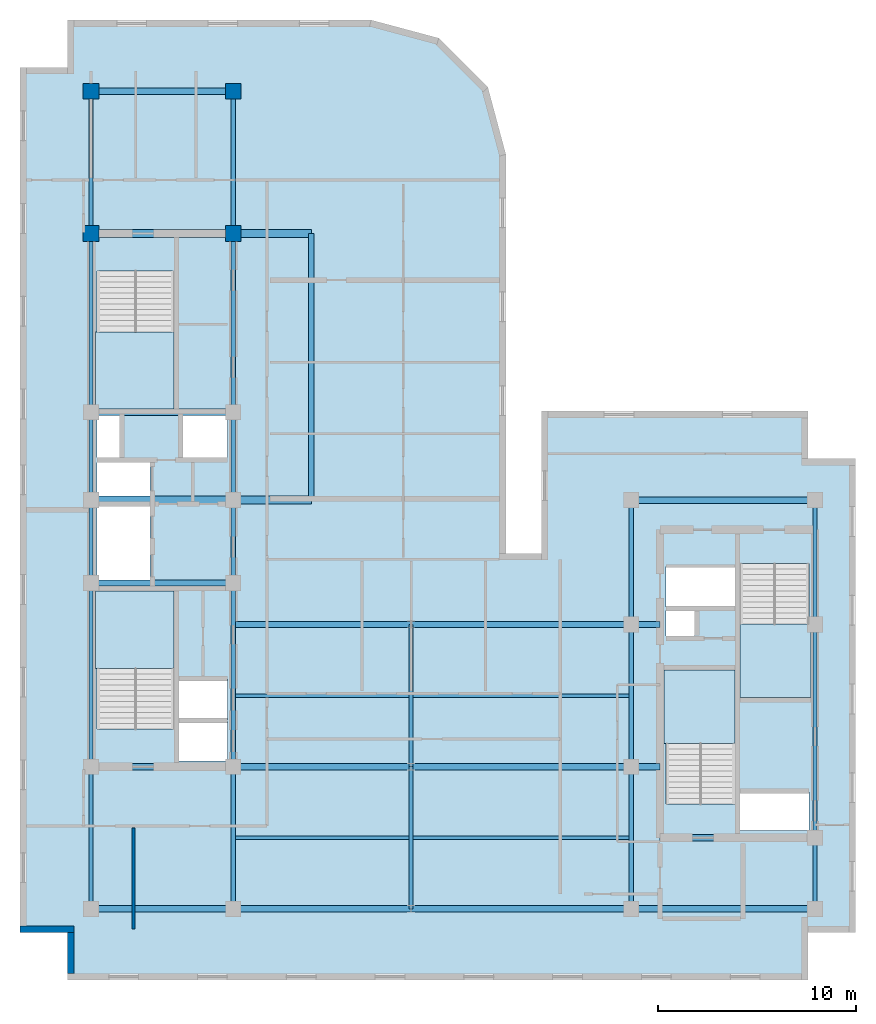
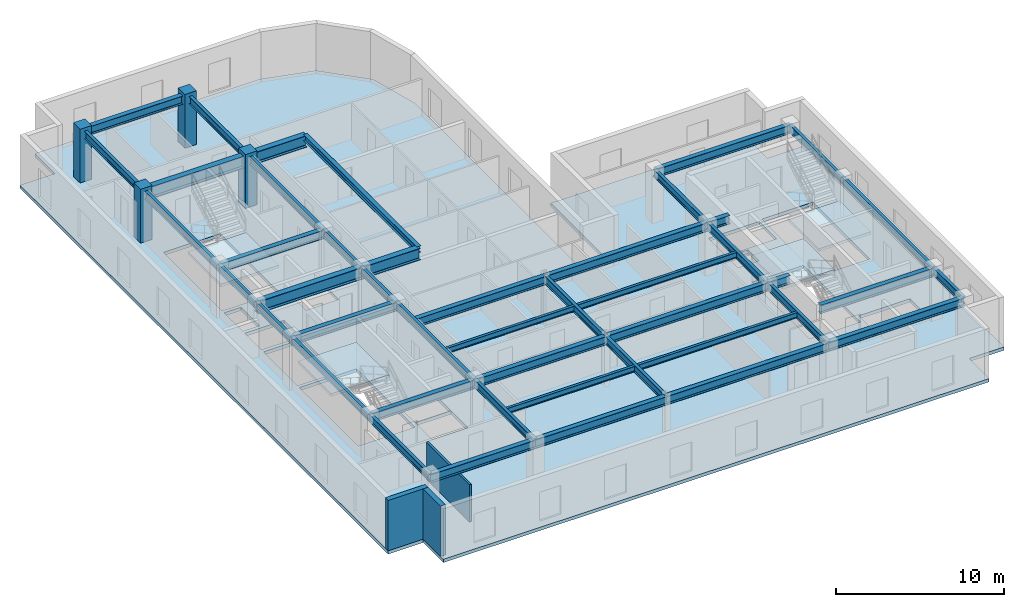
# One storey, part 2 of 10: 43 beams, 5 slabs, 4 columns, 3 walls, 4 elements without a shape of their own.
"""IFC4 building model written with IfcOpenShell, lengths in metres."""

import ifcopenshell
import ifcopenshell.guid

model = None  # the IFC model being written
_history = None  # IfcOwnerHistory: only IFC2X3 demands one
_inside = {}  # id of a spatial element -> (the spatial element, [elements in it])
_under = {}  # id of a project, library or spatial element -> (it, [spatial elements below it])
_declared = {}  # id of a project -> (the project, [libraries it declares])
_typed = {}  # id of a type object -> (the type object, [elements of that type])
_made_of = {}  # id of a material, layer set ... -> (it, [elements and type objects made of it])


def new_model(schema):
    """Start an empty IFC model of exactly this schema.

    Asked for "IFC4X3", IfcOpenShell would pick the latest addendum, in which some entities
    have other attributes; the version numbers below select the first issue.
    IFC2X3 requires an IfcOwnerHistory on every rooted entity: one is made here for all.
    """
    global model, _history
    if schema == "IFC4X3":
        model = ifcopenshell.file(schema_version=(4, 3, 0, 0))
    else:
        model = ifcopenshell.file(schema=schema)
    _inside.clear()
    _under.clear()
    _declared.clear()
    _typed.clear()
    _made_of.clear()
    _history = None
    if model.schema == "IFC2X3":
        org = make("IfcOrganization", Name="unknown")
        user = make(
            "IfcPersonAndOrganization",
            ThePerson=make("IfcPerson", FamilyName="unknown"),
            TheOrganization=org,
        )
        app = make(
            "IfcApplication",
            ApplicationDeveloper=org,
            Version="unknown",
            ApplicationFullName="unknown",
            ApplicationIdentifier="unknown",
        )
        _history = make(
            "IfcOwnerHistory",
            OwningUser=user,
            OwningApplication=app,
            ChangeAction="ADDED",
            CreationDate=0,
        )
    return model


def make(cls, **values):
    """One entity of the class cls with the attributes given. An attribute that is None is left unset."""
    return model.create_entity(
        cls, **{name: value for name, value in values.items() if value is not None}
    )


def entity(cls, *values):
    """Any entity or typed value of the class cls, its attributes in the order of the schema. None: left unset."""
    e = model.create_entity(cls)
    for i, value in enumerate(values):
        if value is not None:
            e[i] = value
    return e


def rooted(cls, **values):
    """An entity with a GlobalId (a new one), such as an element, a storey or a relation."""
    return make(cls, GlobalId=ifcopenshell.guid.new(), OwnerHistory=_history, **values)


def si_unit(unit_type, name, prefix=None):
    """IfcSIUnit, for example si_unit("LENGTHUNIT", "METRE", prefix="MILLI")."""
    return make("IfcSIUnit", UnitType=unit_type, Prefix=prefix, Name=name)


def converted_unit(unit_type, name, factor, base, dimensions=None, offset=None):
    """IfcConversionBasedUnit, such as the inch: factor (a typed value) times the base unit."""
    return make(
        "IfcConversionBasedUnit"
        if offset is None
        else "IfcConversionBasedUnitWithOffset",
        ConversionOffset=offset,
        Dimensions=None
        if dimensions is None
        else entity("IfcDimensionalExponents", *dimensions),
        UnitType=unit_type,
        Name=name,
        ConversionFactor=make(
            "IfcMeasureWithUnit", ValueComponent=factor, UnitComponent=base
        ),
    )


def assignment(units):
    """IfcUnitAssignment: the units of a project."""
    return None if units is None else make("IfcUnitAssignment", Units=units)


def point(xyz):
    """IfcCartesianPoint."""
    return None if xyz is None else make("IfcCartesianPoint", Coordinates=xyz)


def direction(xyz):
    """IfcDirection."""
    return None if xyz is None else make("IfcDirection", DirectionRatios=xyz)


def frame(location, z_axis=None, x_axis=None):
    """IfcAxis2Placement3D, a coordinate frame: its origin and axes. An axis left out is left unset."""
    return make(
        "IfcAxis2Placement3D",
        Location=point(location),
        Axis=direction(z_axis),
        RefDirection=direction(x_axis),
    )


def frame_2d(location, x_axis=None):
    """IfcAxis2Placement2D, a coordinate frame in the plane: its origin and x axis."""
    return make(
        "IfcAxis2Placement2D", Location=point(location), RefDirection=direction(x_axis)
    )


def origin_with_axes():
    """The frame at (0, 0, 0) with the z axis (0, 0, 1) and the x axis (1, 0, 0) written out."""
    return frame((0.0, 0.0, 0.0), z_axis=(0.0, 0.0, 1.0), x_axis=(1.0, 0.0, 0.0))


def origin_2d_with_axis():
    """The frame at (0, 0) in the plane with the x axis (1, 0) written out."""
    return frame_2d((0.0, 0.0), x_axis=(1.0, 0.0))


def place(relative_to, where):
    """IfcLocalPlacement: puts the frame where relative to a parent placement (None: the world)."""
    return make(
        "IfcLocalPlacement", PlacementRelTo=relative_to, RelativePlacement=where
    )


def context(
    kind, dimensions, precision=None, world=None, true_north=None, identifier=None
):
    """IfcGeometricRepresentationContext, for example the 3D "Model" context."""
    return make(
        "IfcGeometricRepresentationContext",
        ContextIdentifier=identifier,
        ContextType=kind,
        CoordinateSpaceDimension=dimensions,
        Precision=precision,
        WorldCoordinateSystem=world,
        TrueNorth=true_north,
    )


def subcontext(parent, identifier, kind, view, scale=None):
    """IfcGeometricRepresentationSubContext, for example "Body" below "Model"."""
    return make(
        "IfcGeometricRepresentationSubContext",
        ContextIdentifier=identifier,
        ContextType=kind,
        ParentContext=parent,
        TargetScale=scale,
        TargetView=view,
    )


def project(units=None, contexts=None):
    """IfcProject with its units and contexts."""
    return rooted(
        "IfcProject",
        Name="project",
        RepresentationContexts=contexts,
        UnitsInContext=assignment(units),
    )


def spatial(cls, under=None, at=None, **own):
    """A site, building, storey or space (cls), placed at a placement, below another one or the project."""
    s = rooted(cls, ObjectPlacement=at, **own)
    if under is not None:
        _under.setdefault(under.id(), (under, []))[1].append(s)
    return s


def polyline(points):
    """IfcPolyline through the points."""
    return make("IfcPolyline", Points=[point(p) for p in points])


def profile(cls, at=None, kind="AREA", **sizes):
    """A parametric profile (cls). Its sizes go by their IFC names, for example OverallWidth=200.0."""
    return make(cls, ProfileType=kind, Position=at, **sizes)


def rectangle(**sizes):
    """IfcRectangleProfileDef."""
    return profile("IfcRectangleProfileDef", **sizes)


def i_section(**sizes):
    """IfcIShapeProfileDef."""
    return profile("IfcIShapeProfileDef", **sizes)


def outline(outer, holes=None, kind="AREA"):
    """IfcArbitraryClosedProfileDef: a profile drawn as a closed curve; with holes, ...WithVoids."""
    if holes is None:
        return make("IfcArbitraryClosedProfileDef", ProfileType=kind, OuterCurve=outer)
    return make(
        "IfcArbitraryProfileDefWithVoids",
        ProfileType=kind,
        OuterCurve=outer,
        InnerCurves=holes,
    )


def extrude(swept, where, along, depth):
    """IfcExtrudedAreaSolid: the profile swept, set in the frame where, extruded along a direction by depth."""
    return make(
        "IfcExtrudedAreaSolid",
        SweptArea=swept,
        Position=where,
        ExtrudedDirection=direction(along),
        Depth=depth,
    )


def shape(context_of_items, identifier, shape_type, items):
    """IfcShapeRepresentation: the items that make up one representation, for example the "Body"."""
    return make(
        "IfcShapeRepresentation",
        ContextOfItems=context_of_items,
        RepresentationIdentifier=identifier,
        RepresentationType=shape_type,
        Items=items,
    )


def material(Name=None, Category=None):
    """IfcMaterial."""
    return make("IfcMaterial", Name=Name, Category=Category)


def layer(
    of_material, thickness, ventilated=None, Name=None, Category=None, Priority=None
):
    """IfcMaterialLayer: one layer of a wall or slab, of a material (None: an air gap)."""
    return make(
        "IfcMaterialLayer",
        Material=of_material,
        LayerThickness=thickness,
        IsVentilated=ventilated,
        Name=Name,
        Category=Category,
        Priority=Priority,
    )


def layer_set(layers, Name=None):
    """IfcMaterialLayerSet."""
    return make("IfcMaterialLayerSet", MaterialLayers=layers, LayerSetName=Name)


def material_profile(
    of_material, cross_section, Name=None, Category=None, Priority=None
):
    """IfcMaterialProfile: a cross section and its material."""
    return make(
        "IfcMaterialProfile",
        Name=Name,
        Material=of_material,
        Profile=cross_section,
        Priority=Priority,
        Category=Category,
    )


def profile_set(profiles, Name=None, composite=None):
    """IfcMaterialProfileSet."""
    return make(
        "IfcMaterialProfileSet",
        Name=Name,
        MaterialProfiles=profiles,
        CompositeProfile=composite,
    )


def made_of(thing, what):
    """Note that an element or type object is made of a material, layer set ...; save() writes the relation."""
    if what is not None:
        _made_of.setdefault(what.id(), (what, []))[1].append(thing)
    return thing


def type_object(cls, material=None, **own):
    """A type object (cls), such as IfcWallType, which elements share."""
    return made_of(rooted(cls, **own), material)


def element(
    cls,
    number,
    at=None,
    inside=None,
    cuts=None,
    type_object=None,
    material=None,
    context=None,
    identifier="Body",
    shape_type=None,
    held_by="IfcProductDefinitionShape",
    body=None,
    shapes=None,
    **own,
):
    """One element of the class cls, such as IfcWall. Its Tag is "e" and its number.

    at: its placement. inside: the storey or other place that contains it. cuts: it is an
    opening in that element (IfcRelVoidsElement). A single representation is given by context,
    identifier, shape_type and body (its items); several are given by shapes. held_by: the class
    of the entity that holds the representations. save() writes the other relations.
    """
    e = rooted(cls, Tag="e%d" % number, ObjectPlacement=at, **own)
    if body is not None:
        shapes = [shape(context, identifier, shape_type, body)]
    if shapes is not None:
        e.Representation = make(held_by, Representations=shapes)
    if inside is not None:
        _inside.setdefault(inside.id(), (inside, []))[1].append(e)
    if cuts is not None:
        rooted(
            "IfcRelVoidsElement", RelatingBuildingElement=cuts, RelatedOpeningElement=e
        )
    if type_object is not None:
        _typed.setdefault(type_object.id(), (type_object, []))[1].append(e)
    return made_of(e, material)


def aggregate(whole, parts):
    """IfcRelAggregates: a whole, such as a stair, and the parts it consists of."""
    return rooted("IfcRelAggregates", RelatingObject=whole, RelatedObjects=parts)


def save(model, path):
    """Write the relations noted so far, then the file.

    IfcRelAggregates (storeys below a building ...), IfcRelContainedInSpatialStructure (elements
    in a storey), IfcRelDefinesByType, IfcRelAssociatesMaterial and IfcRelDeclares: one each for
    every whole, place, type object, material and project.
    """
    for whole, parts in _under.values():
        aggregate(whole, parts)
    for where, things in _inside.values():
        rooted(
            "IfcRelContainedInSpatialStructure",
            RelatedElements=things,
            RelatingStructure=where,
        )
    for kind, things in _typed.values():
        rooted("IfcRelDefinesByType", RelatedObjects=things, RelatingType=kind)
    for what, things in _made_of.values():
        rooted("IfcRelAssociatesMaterial", RelatedObjects=things, RelatingMaterial=what)
    for by, libraries in _declared.values():
        rooted("IfcRelDeclares", RelatingContext=by, RelatedDefinitions=libraries)
    model.write(path)


model = new_model("IFC4")

# Units and contexts
model_context = context("Model", 3, precision=1e-05, world=origin_with_axes(), true_north=direction((0.0, 1.0)))
body_context = subcontext(model_context, "Body", "Model", "MODEL_VIEW")
ifc_project = project(units=[si_unit("LENGTHUNIT", "METRE"), si_unit("AREAUNIT", "SQUARE_METRE"), si_unit("VOLUMEUNIT", "CUBIC_METRE"), converted_unit("PLANEANGLEUNIT", "DEGREE", entity("IfcPlaneAngleMeasure", 0.017453292519943295), si_unit("PLANEANGLEUNIT", "RADIAN"), dimensions=[0, 0, 0, 0, 0, 0, 0]), si_unit("MASSUNIT", "GRAM", prefix="KILO"), si_unit("THERMODYNAMICTEMPERATUREUNIT", "KELVIN")], contexts=[model_context])

# Site, building, storey
site_placement = place(None, origin_with_axes())
site = spatial("IfcSite", under=ifc_project, at=site_placement, CompositionType="ELEMENT")
building_placement = place(site_placement, origin_with_axes())
building = spatial("IfcBuilding", under=site, at=building_placement, Name="Varnlund Millrace Tower", CompositionType="ELEMENT")
storey_placement = place(building_placement, frame((0.0, 0.0, 268.5), z_axis=(0.0, 0.0, 1.0), x_axis=(1.0, 0.0, 0.0)))
storey = spatial("IfcBuildingStorey", under=building, at=storey_placement, Name="L66", CompositionType="ELEMENT", Elevation=268.5)

# Columns
ifc_material_1 = material(Name="Concrete C60/75", Category="concrete")
ifc_material_profile_1 = material_profile(ifc_material_1, rectangle(XDim=0.8, YDim=0.8, at=origin_2d_with_axis()), Name="Concrete C60/75")
ifc_profile_set_1 = profile_set([ifc_material_profile_1], Name="Concrete C60/75")
column_type = type_object("IfcColumnType", Name="Type-Col-RC800-C60", PredefinedType="COLUMN", material=ifc_profile_set_1)
for number, where, z_axis, x_axis, name in (
    (1, (11.4, 37.8, 0.0), (0.0, 0.0, 1.0), (1.0, 0.0, 0.0), "Type-Col-RC800-C60"),
    (2, (11.4, 45.0, 0.0), (0.0, 0.0, 1.0), (1.0, 0.0, 0.0), "Type-Col-RC800-C60"),
    (3, (18.6, 37.8, 0.0), (0.0, 0.0, 1.0), (1.0, 0.0, 0.0), "Type-Col-RC800-C60"),
    (4, (18.6, 45.0, 0.0), (0.0, 0.0, 1.0), (1.0, 0.0, 0.0), "Type-Col-RC800-C60"),
):
    element("IfcColumn", number, at=place(storey_placement, frame(where, z_axis=z_axis, x_axis=x_axis)), inside=storey, type_object=column_type, Name=name, PredefinedType="COLUMN", context=body_context, shape_type="SweptSolid", body=[
        extrude(rectangle(XDim=0.8, YDim=0.8, at=origin_2d_with_axis()), origin_with_axes(), (0.0, 0.0, 1.0), 3.9),
    ])

# Beams
ifc_material_2 = material(Name="Steel ASTM A992 Grade 50", Category="steel")
ifc_material_profile_2 = material_profile(ifc_material_2, i_section(OverallWidth=0.28, OverallDepth=0.463, WebThickness=0.0108, FlangeThickness=0.0173, FilletRadius=0.015, at=origin_2d_with_axis()), Name="Steel ASTM A992 Grade 50")
ifc_profile_set_2 = profile_set([ifc_material_profile_2], Name="Steel ASTM A992 Grade 50")
beam_type_1 = type_object("IfcBeamType", Name="Type-Beam-W18X76", PredefinedType="BEAM", material=ifc_profile_set_2)
beam_1_placement = place(storey_placement, frame((22.55, 24.3, 3.4285), z_axis=(0.0, 1.0, 0.0), x_axis=(-1.0, 0.0, 0.0)))
element("IfcBeam", 5, at=beam_1_placement, inside=storey, type_object=beam_type_1, Name="Type-Beam-W18X76", PredefinedType="BEAM", context=body_context, shape_type="SweptSolid", body=[
    extrude(i_section(OverallWidth=0.28, OverallDepth=0.463, WebThickness=0.0108, FlangeThickness=0.0173, FilletRadius=0.015, at=origin_2d_with_axis()), origin_with_axes(), (0.0, 0.0, 1.0), 13.5),
])
ifc_material_profile_3 = material_profile(ifc_material_2, i_section(OverallWidth=0.214, OverallDepth=0.549, WebThickness=0.0147, FlangeThickness=0.0236, FilletRadius=0.015, at=origin_2d_with_axis()), Name="Steel ASTM A992 Grade 50")
ifc_profile_set_3 = profile_set([ifc_material_profile_3], Name="Steel ASTM A992 Grade 50")
beam_type_2 = type_object("IfcBeamType", Name="Type-Beam-W21X93", PredefinedType="BEAM", material=ifc_profile_set_3)
beam_2_placement = place(storey_placement, frame((11.4, 3.6, 3.3855), z_axis=(0.0, 1.0, 0.0), x_axis=(-1.0, 0.0, 0.0)))
element("IfcBeam", 6, at=beam_2_placement, inside=storey, type_object=beam_type_2, Name="Type-Beam-W21X93", PredefinedType="BEAM", context=body_context, shape_type="SweptSolid", body=[
    extrude(i_section(OverallWidth=0.214, OverallDepth=0.549, WebThickness=0.0147, FlangeThickness=0.0236, FilletRadius=0.015, at=origin_2d_with_axis()), origin_with_axes(), (0.0, 0.0, 1.0), 7.2),
])
beam_3_placement = place(storey_placement, frame((11.4, 10.8, 3.3855), z_axis=(0.0, 1.0, 0.0), x_axis=(-1.0, 0.0, 0.0)))
element("IfcBeam", 7, at=beam_3_placement, inside=storey, type_object=beam_type_2, Name="Type-Beam-W21X93", PredefinedType="BEAM", context=body_context, shape_type="SweptSolid", body=[
    extrude(i_section(OverallWidth=0.214, OverallDepth=0.549, WebThickness=0.0147, FlangeThickness=0.0236, FilletRadius=0.015, at=origin_2d_with_axis()), origin_with_axes(), (0.0, 0.0, 1.0), 9.3),
])
beam_4_placement = place(storey_placement, frame((11.4, 20.1, 3.3855), z_axis=(0.0, 1.0, 0.0), x_axis=(-1.0, 0.0, 0.0)))
element("IfcBeam", 8, at=beam_4_placement, inside=storey, type_object=beam_type_2, Name="Type-Beam-W21X93", PredefinedType="BEAM", context=body_context, shape_type="SweptSolid", body=[
    extrude(i_section(OverallWidth=0.214, OverallDepth=0.549, WebThickness=0.0147, FlangeThickness=0.0236, FilletRadius=0.015, at=origin_2d_with_axis()), origin_with_axes(), (0.0, 0.0, 1.0), 4.2),
])
beam_5_placement = place(storey_placement, frame((11.4, 24.3, 3.3855), z_axis=(0.0, 1.0, 0.0), x_axis=(-1.0, 0.0, 0.0)))
element("IfcBeam", 9, at=beam_5_placement, inside=storey, type_object=beam_type_2, Name="Type-Beam-W21X93", PredefinedType="BEAM", context=body_context, shape_type="SweptSolid", body=[
    extrude(i_section(OverallWidth=0.214, OverallDepth=0.549, WebThickness=0.0147, FlangeThickness=0.0236, FilletRadius=0.015, at=origin_2d_with_axis()), origin_with_axes(), (0.0, 0.0, 1.0), 4.45),
])
beam_6_placement = place(storey_placement, frame((11.4, 28.75, 3.3855), z_axis=(0.0, 1.0, 0.0), x_axis=(-1.0, 0.0, 0.0)))
element("IfcBeam", 10, at=beam_6_placement, inside=storey, type_object=beam_type_2, Name="Type-Beam-W21X93", PredefinedType="BEAM", context=body_context, shape_type="SweptSolid", body=[
    extrude(i_section(OverallWidth=0.214, OverallDepth=0.549, WebThickness=0.0147, FlangeThickness=0.0236, FilletRadius=0.015, at=origin_2d_with_axis()), origin_with_axes(), (0.0, 0.0, 1.0), 9.05),
])
for number, where, z_axis, x_axis, name in (
    (11, (11.4, 37.8, 3.3855), (0.0, 1.0, 0.0), (-1.0, 0.0, 0.0), "Type-Beam-W21X93"),
    (12, (18.6, 3.6, 3.3855), (0.0, 1.0, 0.0), (-1.0, 0.0, 0.0), "Type-Beam-W21X93"),
):
    element("IfcBeam", number, at=place(storey_placement, frame(where, z_axis=z_axis, x_axis=x_axis)), inside=storey, type_object=beam_type_2, Name=name, PredefinedType="BEAM", context=body_context, shape_type="SweptSolid", body=[
        extrude(i_section(OverallWidth=0.214, OverallDepth=0.549, WebThickness=0.0147, FlangeThickness=0.0236, FilletRadius=0.015, at=origin_2d_with_axis()), origin_with_axes(), (0.0, 0.0, 1.0), 7.2),
    ])
beam_7_placement = place(storey_placement, frame((18.6, 10.8, 3.3855), z_axis=(0.0, 1.0, 0.0), x_axis=(-1.0, 0.0, 0.0)))
element("IfcBeam", 13, at=beam_7_placement, inside=storey, type_object=beam_type_2, Name="Type-Beam-W21X93", PredefinedType="BEAM", context=body_context, shape_type="SweptSolid", body=[
    extrude(i_section(OverallWidth=0.214, OverallDepth=0.549, WebThickness=0.0147, FlangeThickness=0.0236, FilletRadius=0.015, at=origin_2d_with_axis()), origin_with_axes(), (0.0, 0.0, 1.0), 9.3),
])
beam_8_placement = place(storey_placement, frame((18.6, 20.1, 3.3855), z_axis=(0.0, 1.0, 0.0), x_axis=(-1.0, 0.0, 0.0)))
element("IfcBeam", 14, at=beam_8_placement, inside=storey, type_object=beam_type_2, Name="Type-Beam-W21X93", PredefinedType="BEAM", context=body_context, shape_type="SweptSolid", body=[
    extrude(i_section(OverallWidth=0.214, OverallDepth=0.549, WebThickness=0.0147, FlangeThickness=0.0236, FilletRadius=0.015, at=origin_2d_with_axis()), origin_with_axes(), (0.0, 0.0, 1.0), 4.2),
])
beam_9_placement = place(storey_placement, frame((18.6, 24.3, 3.3855), z_axis=(0.0, 1.0, 0.0), x_axis=(-1.0, 0.0, 0.0)))
element("IfcBeam", 15, at=beam_9_placement, inside=storey, type_object=beam_type_2, Name="Type-Beam-W21X93", PredefinedType="BEAM", context=body_context, shape_type="SweptSolid", body=[
    extrude(i_section(OverallWidth=0.214, OverallDepth=0.549, WebThickness=0.0147, FlangeThickness=0.0236, FilletRadius=0.015, at=origin_2d_with_axis()), origin_with_axes(), (0.0, 0.0, 1.0), 4.45),
])
beam_10_placement = place(storey_placement, frame((18.6, 28.75, 3.3855), z_axis=(0.0, 1.0, 0.0), x_axis=(-1.0, 0.0, 0.0)))
element("IfcBeam", 16, at=beam_10_placement, inside=storey, type_object=beam_type_2, Name="Type-Beam-W21X93", PredefinedType="BEAM", context=body_context, shape_type="SweptSolid", body=[
    extrude(i_section(OverallWidth=0.214, OverallDepth=0.549, WebThickness=0.0147, FlangeThickness=0.0236, FilletRadius=0.015, at=origin_2d_with_axis()), origin_with_axes(), (0.0, 0.0, 1.0), 9.05),
])
for number, where, z_axis, x_axis, name in (
    (17, (18.6, 37.8, 3.3855), (0.0, 1.0, 0.0), (-1.0, 0.0, 0.0), "Type-Beam-W21X93"),
    (18, (27.6, 3.6, 3.3855), (0.0, 1.0, 0.0), (-1.0, 0.0, 0.0), "Type-Beam-W21X93"),
    (19, (27.6, 10.8, 3.3855), (0.0, 1.0, 0.0), (-1.0, 0.0, 0.0), "Type-Beam-W21X93"),
    (20, (38.75, 3.6, 3.3855), (0.0, 1.0, 0.0), (-1.0, 0.0, 0.0), "Type-Beam-W21X93"),
    (21, (38.75, 10.8, 3.3855), (0.0, 1.0, 0.0), (-1.0, 0.0, 0.0), "Type-Beam-W21X93"),
):
    element("IfcBeam", number, at=place(storey_placement, frame(where, z_axis=z_axis, x_axis=x_axis)), inside=storey, type_object=beam_type_2, Name=name, PredefinedType="BEAM", context=body_context, shape_type="SweptSolid", body=[
        extrude(i_section(OverallWidth=0.214, OverallDepth=0.549, WebThickness=0.0147, FlangeThickness=0.0236, FilletRadius=0.015, at=origin_2d_with_axis()), origin_with_axes(), (0.0, 0.0, 1.0), 7.2),
    ])
beam_11_placement = place(storey_placement, frame((38.75, 18.0, 3.3855), z_axis=(0.0, 1.0, 0.0), x_axis=(-1.0, 0.0, 0.0)))
element("IfcBeam", 22, at=beam_11_placement, inside=storey, type_object=beam_type_2, Name="Type-Beam-W21X93", PredefinedType="BEAM", context=body_context, shape_type="SweptSolid", body=[
    extrude(i_section(OverallWidth=0.214, OverallDepth=0.549, WebThickness=0.0147, FlangeThickness=0.0236, FilletRadius=0.015, at=origin_2d_with_axis()), origin_with_axes(), (0.0, 0.0, 1.0), 6.3),
])
beam_12_placement = place(storey_placement, frame((48.05, 3.6, 3.3855), z_axis=(0.0, 1.0, 0.0), x_axis=(-1.0, 0.0, 0.0)))
element("IfcBeam", 23, at=beam_12_placement, inside=storey, type_object=beam_type_2, Name="Type-Beam-W21X93", PredefinedType="BEAM", context=body_context, shape_type="SweptSolid", body=[
    extrude(i_section(OverallWidth=0.214, OverallDepth=0.549, WebThickness=0.0147, FlangeThickness=0.0236, FilletRadius=0.015, at=origin_2d_with_axis()), origin_with_axes(), (0.0, 0.0, 1.0), 3.6),
])
beam_13_placement = place(storey_placement, frame((48.05, 7.2, 3.3855), z_axis=(0.0, 1.0, 0.0), x_axis=(-1.0, 0.0, 0.0)))
element("IfcBeam", 24, at=beam_13_placement, inside=storey, type_object=beam_type_2, Name="Type-Beam-W21X93", PredefinedType="BEAM", context=body_context, shape_type="SweptSolid", body=[
    extrude(i_section(OverallWidth=0.214, OverallDepth=0.549, WebThickness=0.0147, FlangeThickness=0.0236, FilletRadius=0.015, at=origin_2d_with_axis()), origin_with_axes(), (0.0, 0.0, 1.0), 10.8),
])
beam_14_placement = place(storey_placement, frame((48.05, 18.0, 3.3855), z_axis=(0.0, 1.0, 0.0), x_axis=(-1.0, 0.0, 0.0)))
element("IfcBeam", 25, at=beam_14_placement, inside=storey, type_object=beam_type_2, Name="Type-Beam-W21X93", PredefinedType="BEAM", context=body_context, shape_type="SweptSolid", body=[
    extrude(i_section(OverallWidth=0.214, OverallDepth=0.549, WebThickness=0.0147, FlangeThickness=0.0236, FilletRadius=0.015, at=origin_2d_with_axis()), origin_with_axes(), (0.0, 0.0, 1.0), 6.3),
])
ifc_material_profile_4 = material_profile(ifc_material_2, i_section(OverallWidth=0.324, OverallDepth=0.611, WebThickness=0.0127, FlangeThickness=0.0191, FilletRadius=0.016, at=origin_2d_with_axis()), Name="Steel ASTM A992 Grade 50")
ifc_profile_set_4 = profile_set([ifc_material_profile_4], Name="Steel ASTM A992 Grade 50")
beam_type_3 = type_object("IfcBeamType", Name="Type-Girder-W24X104", PredefinedType="USERDEFINED", material=ifc_profile_set_4)
beam_15_placement = place(storey_placement, frame((11.4, 3.6, 3.3545), z_axis=(1.0, 0.0, 0.0), x_axis=(0.0, 1.0, 0.0)))
element("IfcBeam", 26, at=beam_15_placement, inside=storey, type_object=beam_type_3, Name="Type-Girder-W24X104", ObjectType="GIRDER", PredefinedType="USERDEFINED", context=body_context, shape_type="SweptSolid", body=[
    extrude(i_section(OverallWidth=0.324, OverallDepth=0.611, WebThickness=0.0127, FlangeThickness=0.0191, FilletRadius=0.016, at=origin_2d_with_axis()), origin_with_axes(), (0.0, 0.0, 1.0), 7.2),
])
beam_16_placement = place(storey_placement, frame((18.6, 3.6, 3.3545), z_axis=(1.0, 0.0, 0.0), x_axis=(0.0, 1.0, 0.0)))
element("IfcBeam", 27, at=beam_16_placement, inside=storey, type_object=beam_type_3, Name="Type-Girder-W24X104", ObjectType="GIRDER", PredefinedType="USERDEFINED", context=body_context, shape_type="SweptSolid", body=[
    extrude(i_section(OverallWidth=0.324, OverallDepth=0.611, WebThickness=0.0127, FlangeThickness=0.0191, FilletRadius=0.016, at=origin_2d_with_axis()), origin_with_axes(), (0.0, 0.0, 1.0), 9.0),
])
beam_17_placement = place(storey_placement, frame((27.6, 3.6, 3.3545), z_axis=(1.0, 0.0, 0.0), x_axis=(0.0, 1.0, 0.0)))
element("IfcBeam", 28, at=beam_17_placement, inside=storey, type_object=beam_type_3, Name="Type-Girder-W24X104", ObjectType="GIRDER", PredefinedType="USERDEFINED", context=body_context, shape_type="SweptSolid", body=[
    extrude(i_section(OverallWidth=0.324, OverallDepth=0.611, WebThickness=0.0127, FlangeThickness=0.0191, FilletRadius=0.016, at=origin_2d_with_axis()), origin_with_axes(), (0.0, 0.0, 1.0), 11.15),
])
beam_18_placement = place(storey_placement, frame((38.75, 3.6, 3.3545), z_axis=(1.0, 0.0, 0.0), x_axis=(0.0, 1.0, 0.0)))
element("IfcBeam", 29, at=beam_18_placement, inside=storey, type_object=beam_type_3, Name="Type-Girder-W24X104", ObjectType="GIRDER", PredefinedType="USERDEFINED", context=body_context, shape_type="SweptSolid", body=[
    extrude(i_section(OverallWidth=0.324, OverallDepth=0.611, WebThickness=0.0127, FlangeThickness=0.0191, FilletRadius=0.016, at=origin_2d_with_axis()), origin_with_axes(), (0.0, 0.0, 1.0), 9.3),
])
beam_19_placement = place(storey_placement, frame((40.2, 7.2, 3.3545), z_axis=(1.0, 0.0, 0.0), x_axis=(0.0, 1.0, 0.0)))
element("IfcBeam", 30, at=beam_19_placement, inside=storey, type_object=beam_type_3, Name="Type-Girder-W24X104", ObjectType="GIRDER", PredefinedType="USERDEFINED", context=body_context, shape_type="SweptSolid", body=[
    extrude(i_section(OverallWidth=0.324, OverallDepth=0.611, WebThickness=0.0127, FlangeThickness=0.0191, FilletRadius=0.016, at=origin_2d_with_axis()), origin_with_axes(), (0.0, 0.0, 1.0), 7.85),
])
beam_20_placement = place(storey_placement, frame((11.4, 10.8, 3.3545), z_axis=(1.0, 0.0, 0.0), x_axis=(0.0, 1.0, 0.0)))
element("IfcBeam", 31, at=beam_20_placement, inside=storey, type_object=beam_type_3, Name="Type-Girder-W24X104", ObjectType="GIRDER", PredefinedType="USERDEFINED", context=body_context, shape_type="SweptSolid", body=[
    extrude(i_section(OverallWidth=0.324, OverallDepth=0.611, WebThickness=0.0127, FlangeThickness=0.0191, FilletRadius=0.016, at=origin_2d_with_axis()), origin_with_axes(), (0.0, 0.0, 1.0), 7.2),
])
beam_21_placement = place(storey_placement, frame((18.6, 10.8, 3.3545), z_axis=(1.0, 0.0, 0.0), x_axis=(0.0, 1.0, 0.0)))
element("IfcBeam", 32, at=beam_21_placement, inside=storey, type_object=beam_type_3, Name="Type-Girder-W24X104", ObjectType="GIRDER", PredefinedType="USERDEFINED", context=body_context, shape_type="SweptSolid", body=[
    extrude(i_section(OverallWidth=0.324, OverallDepth=0.611, WebThickness=0.0127, FlangeThickness=0.0191, FilletRadius=0.016, at=origin_2d_with_axis()), origin_with_axes(), (0.0, 0.0, 1.0), 9.0),
])
beam_22_placement = place(storey_placement, frame((27.6, 10.8, 3.3545), z_axis=(1.0, 0.0, 0.0), x_axis=(0.0, 1.0, 0.0)))
element("IfcBeam", 33, at=beam_22_placement, inside=storey, type_object=beam_type_3, Name="Type-Girder-W24X104", ObjectType="GIRDER", PredefinedType="USERDEFINED", context=body_context, shape_type="SweptSolid", body=[
    extrude(i_section(OverallWidth=0.324, OverallDepth=0.611, WebThickness=0.0127, FlangeThickness=0.0191, FilletRadius=0.016, at=origin_2d_with_axis()), origin_with_axes(), (0.0, 0.0, 1.0), 11.15),
])
beam_23_placement = place(storey_placement, frame((38.75, 10.8, 3.3545), z_axis=(1.0, 0.0, 0.0), x_axis=(0.0, 1.0, 0.0)))
element("IfcBeam", 34, at=beam_23_placement, inside=storey, type_object=beam_type_3, Name="Type-Girder-W24X104", ObjectType="GIRDER", PredefinedType="USERDEFINED", context=body_context, shape_type="SweptSolid", body=[
    extrude(i_section(OverallWidth=0.324, OverallDepth=0.611, WebThickness=0.0127, FlangeThickness=0.0191, FilletRadius=0.016, at=origin_2d_with_axis()), origin_with_axes(), (0.0, 0.0, 1.0), 1.45),
])
beam_24_placement = place(storey_placement, frame((18.6, 18.0, 3.3545), z_axis=(1.0, 0.0, 0.0), x_axis=(0.0, 1.0, 0.0)))
element("IfcBeam", 35, at=beam_24_placement, inside=storey, type_object=beam_type_3, Name="Type-Girder-W24X104", ObjectType="GIRDER", PredefinedType="USERDEFINED", context=body_context, shape_type="SweptSolid", body=[
    extrude(i_section(OverallWidth=0.324, OverallDepth=0.611, WebThickness=0.0127, FlangeThickness=0.0191, FilletRadius=0.016, at=origin_2d_with_axis()), origin_with_axes(), (0.0, 0.0, 1.0), 9.0),
])
beam_25_placement = place(storey_placement, frame((27.6, 18.0, 3.3545), z_axis=(1.0, 0.0, 0.0), x_axis=(0.0, 1.0, 0.0)))
element("IfcBeam", 36, at=beam_25_placement, inside=storey, type_object=beam_type_3, Name="Type-Girder-W24X104", ObjectType="GIRDER", PredefinedType="USERDEFINED", context=body_context, shape_type="SweptSolid", body=[
    extrude(i_section(OverallWidth=0.324, OverallDepth=0.611, WebThickness=0.0127, FlangeThickness=0.0191, FilletRadius=0.016, at=origin_2d_with_axis()), origin_with_axes(), (0.0, 0.0, 1.0), 11.15),
])
beam_26_placement = place(storey_placement, frame((38.75, 18.0, 3.3545), z_axis=(1.0, 0.0, 0.0), x_axis=(0.0, 1.0, 0.0)))
element("IfcBeam", 37, at=beam_26_placement, inside=storey, type_object=beam_type_3, Name="Type-Girder-W24X104", ObjectType="GIRDER", PredefinedType="USERDEFINED", context=body_context, shape_type="SweptSolid", body=[
    extrude(i_section(OverallWidth=0.324, OverallDepth=0.611, WebThickness=0.0127, FlangeThickness=0.0191, FilletRadius=0.016, at=origin_2d_with_axis()), origin_with_axes(), (0.0, 0.0, 1.0), 1.45),
])
beam_27_placement = place(storey_placement, frame((11.4, 20.1, 3.3545), z_axis=(1.0, 0.0, 0.0), x_axis=(0.0, 1.0, 0.0)))
element("IfcBeam", 38, at=beam_27_placement, inside=storey, type_object=beam_type_3, Name="Type-Girder-W24X104", ObjectType="GIRDER", PredefinedType="USERDEFINED", context=body_context, shape_type="SweptSolid", body=[
    extrude(i_section(OverallWidth=0.324, OverallDepth=0.611, WebThickness=0.0127, FlangeThickness=0.0191, FilletRadius=0.016, at=origin_2d_with_axis()), origin_with_axes(), (0.0, 0.0, 1.0), 7.2),
])
beam_28_placement = place(storey_placement, frame((38.75, 24.3, 3.3545), z_axis=(1.0, 0.0, 0.0), x_axis=(0.0, 1.0, 0.0)))
element("IfcBeam", 39, at=beam_28_placement, inside=storey, type_object=beam_type_3, Name="Type-Girder-W24X104", ObjectType="GIRDER", PredefinedType="USERDEFINED", context=body_context, shape_type="SweptSolid", body=[
    extrude(i_section(OverallWidth=0.324, OverallDepth=0.611, WebThickness=0.0127, FlangeThickness=0.0191, FilletRadius=0.016, at=origin_2d_with_axis()), origin_with_axes(), (0.0, 0.0, 1.0), 9.3),
])
for number, where, z_axis, x_axis, name in (
    (40, (11.4, 28.75, 3.3545), (1.0, 0.0, 0.0), (0.0, 1.0, 0.0), "Type-Girder-W24X104"),
    (41, (11.4, 45.0, 3.3545), (1.0, 0.0, 0.0), (0.0, 1.0, 0.0), "Type-Girder-W24X104"),
):
    element("IfcBeam", number, at=place(storey_placement, frame(where, z_axis=z_axis, x_axis=x_axis)), inside=storey, type_object=beam_type_3, Name=name, ObjectType="GIRDER", PredefinedType="USERDEFINED", context=body_context, shape_type="SweptSolid", body=[
        extrude(i_section(OverallWidth=0.324, OverallDepth=0.611, WebThickness=0.0127, FlangeThickness=0.0191, FilletRadius=0.016, at=origin_2d_with_axis()), origin_with_axes(), (0.0, 0.0, 1.0), 7.2),
    ])
ifc_material_profile_5 = material_profile(ifc_material_2, i_section(OverallWidth=0.399, OverallDepth=0.855, WebThickness=0.0182, FlangeThickness=0.0292, FilletRadius=0.022, at=origin_2d_with_axis()), Name="Steel ASTM A992 Grade 50")
ifc_profile_set_5 = profile_set([ifc_material_profile_5], Name="Steel ASTM A992 Grade 50")
beam_type_4 = type_object("IfcBeamType", Name="Type-Girder-W33X201", PredefinedType="USERDEFINED", material=ifc_profile_set_5)
for number, where, z_axis, x_axis, name in (
    (42, (11.4, 24.3, 3.2325), (1.0, 0.0, 0.0), (0.0, 1.0, 0.0), "Type-Girder-W33X201"),
    (43, (11.4, 37.8, 3.2325), (1.0, 0.0, 0.0), (0.0, 1.0, 0.0), "Type-Girder-W33X201"),
):
    element("IfcBeam", number, at=place(storey_placement, frame(where, z_axis=z_axis, x_axis=x_axis)), inside=storey, type_object=beam_type_4, Name=name, ObjectType="GIRDER", PredefinedType="USERDEFINED", context=body_context, shape_type="SweptSolid", body=[
        extrude(i_section(OverallWidth=0.399, OverallDepth=0.855, WebThickness=0.0182, FlangeThickness=0.0292, FilletRadius=0.022, at=origin_2d_with_axis()), origin_with_axes(), (0.0, 0.0, 1.0), 11.15),
    ])
ifc_material_profile_6 = material_profile(ifc_material_2, i_section(OverallWidth=0.178, OverallDepth=0.403, WebThickness=0.0075, FlangeThickness=0.0109, FilletRadius=0.011, at=origin_2d_with_axis()), Name="Steel ASTM A992 Grade 50")
ifc_profile_set_6 = profile_set([ifc_material_profile_6], Name="Steel ASTM A992 Grade 50")
beam_type_5 = type_object("IfcBeamType", Name="Type-Joist-W16X36", PredefinedType="JOIST", material=ifc_profile_set_6)
for number, where, z_axis, x_axis, name in (
    (44, (18.707, 7.2, 3.4585), (1.0, 0.0, 0.0), (0.0, 1.0, 0.0), "Type-Joist-W16X36"),
    (45, (18.707, 14.4, 3.4585), (1.0, 0.0, 0.0), (0.0, 1.0, 0.0), "Type-Joist-W16X36"),
):
    element("IfcBeam", number, at=place(storey_placement, frame(where, z_axis=z_axis, x_axis=x_axis)), inside=storey, type_object=beam_type_5, Name=name, PredefinedType="JOIST", context=body_context, shape_type="SweptSolid", body=[
        extrude(i_section(OverallWidth=0.178, OverallDepth=0.403, WebThickness=0.0075, FlangeThickness=0.0109, FilletRadius=0.011, at=origin_2d_with_axis()), origin_with_axes(), (0.0, 0.0, 1.0), 8.786),
    ])
for number, where, z_axis, x_axis, name in (
    (46, (27.707, 7.2, 3.4585), (1.0, 0.0, 0.0), (0.0, 1.0, 0.0), "Type-Joist-W16X36"),
    (47, (27.707, 14.4, 3.4585), (1.0, 0.0, 0.0), (0.0, 1.0, 0.0), "Type-Joist-W16X36"),
):
    element("IfcBeam", number, at=place(storey_placement, frame(where, z_axis=z_axis, x_axis=x_axis)), inside=storey, type_object=beam_type_5, Name=name, PredefinedType="JOIST", context=body_context, shape_type="SweptSolid", body=[
        extrude(i_section(OverallWidth=0.178, OverallDepth=0.403, WebThickness=0.0075, FlangeThickness=0.0109, FilletRadius=0.011, at=origin_2d_with_axis()), origin_with_axes(), (0.0, 0.0, 1.0), 10.936),
    ])

# Slab
ifc_layer_1 = layer(ifc_material_1, 0.24, Name="Concrete C60/75")
ifc_layer_set_1 = layer_set([ifc_layer_1], Name="Concrete C60/75")
slab_type_1 = type_object("IfcSlabType", Name="Type-Deck-Plate-Typical-240", PredefinedType="FLOOR", material=ifc_layer_set_1)
slab_1_placement = place(storey_placement, frame((0.0, 0.0, -0.24), z_axis=(0.0, 0.0, 1.0), x_axis=(1.0, 0.0, 0.0)))
element("IfcSlab", 48, at=slab_1_placement, inside=storey, type_object=slab_type_1, Name="Type-Deck-Plate-Typical-240", PredefinedType="FLOOR", context=body_context, shape_type="SweptSolid", body=[
    extrude(outline(polyline([(32.4, 21.6), (32.4, 41.8), (31.489, 45.2), (29.0, 47.689), (25.6, 48.6), (10.2, 48.6), (10.2, 46.2), (7.8, 46.2), (7.8, 2.4), (10.2, 2.4), (10.2, 0.0), (47.7, 0.0), (47.7, 2.4), (50.1, 2.4), (50.1, 26.4), (47.7, 26.4), (47.7, 28.8), (34.2, 28.8), (34.2, 21.6), (32.4, 21.6)]), holes=[polyline([(18.3, 13.1), (18.3, 11.1), (15.84, 11.1), (15.84, 13.1), (18.3, 13.1)]), polyline([(15.6, 12.715), (11.7, 12.715), (11.7, 19.7), (15.6, 19.7), (15.6, 12.715)]), polyline([(11.7, 19.94), (11.7, 23.98), (14.38, 23.98), (14.38, 19.94), (11.7, 19.94)]), polyline([(14.38, 24.24), (11.7, 24.24), (11.7, 26.2), (14.38, 26.2), (14.38, 24.24)]), polyline([(12.84, 26.46), (11.7, 26.46), (11.7, 28.65), (12.84, 28.65), (12.84, 26.46)]), polyline([(15.6, 28.9), (11.7, 28.9), (11.7, 35.885), (15.6, 35.885), (15.6, 28.9)]), polyline([(47.75, 9.52), (47.75, 7.58), (44.25, 7.58), (44.25, 9.52), (47.75, 9.52)]), polyline([(44.0, 8.915), (40.5, 8.915), (40.5, 15.7), (44.0, 15.7), (44.0, 8.915)]), polyline([(18.3, 13.16), (15.84, 13.16), (15.84, 15.24), (18.3, 15.24), (18.3, 13.16)]), polyline([(47.75, 14.3), (44.25, 14.3), (44.25, 21.085), (47.75, 21.085), (47.75, 14.3)]), polyline([(41.95, 17.42), (40.5, 17.42), (40.5, 18.72), (41.95, 18.72), (41.95, 17.42)]), polyline([(44.0, 18.88), (40.5, 18.88), (40.5, 20.94), (44.0, 20.94), (44.0, 18.88)]), polyline([(18.3, 26.46), (16.04, 26.46), (16.04, 28.65), (18.3, 28.65), (18.3, 26.46)])]), origin_with_axes(), (0.0, 0.0, 1.0), 0.24),
])

# Stair, slab
ifc_material_3 = material(Name="Concrete C50/60", Category="concrete")
stair_type_1 = type_object("IfcStairType", Name="Type-Stair-Dogleg-185-390", PredefinedType="HALF_TURN_STAIR", material=ifc_material_3)
stair_1_placement = place(storey_placement, origin_with_axes())
stair_1 = element("IfcStair", 49, at=stair_1_placement, inside=storey, type_object=stair_type_1, Name="Type-Stair-Dogleg-185-390", PredefinedType="HALF_TURN_STAIR")
ifc_layer_2 = layer(ifc_material_3, 0.2, Name="Concrete C50/60")
ifc_layer_set_2 = layer_set([ifc_layer_2], Name="Concrete C50/60")
slab_type_2 = type_object("IfcSlabType", Name="Type-StairLanding-200", PredefinedType="LANDING", material=ifc_layer_set_2)
slab_2_placement = place(storey_placement, frame((0.0, 0.0, 1.75), z_axis=(0.0, 0.0, 1.0), x_axis=(1.0, 0.0, 0.0)))
slab_2 = element("IfcSlab", 50, at=slab_2_placement, type_object=slab_type_2, Name="ST-A1 landing 1", PredefinedType="LANDING", context=body_context, shape_type="SweptSolid", body=[
    extrude(outline(polyline([(15.6, 15.78), (15.6, 19.7), (11.61, 19.7), (11.61, 15.78), (15.6, 15.78)])), origin_with_axes(), (0.0, 0.0, 1.0), 0.2),
])
aggregate(stair_1, [slab_2])

stair_2_placement = place(storey_placement, origin_with_axes())
stair_2 = element("IfcStair", 51, at=stair_2_placement, inside=storey, type_object=stair_type_1, Name="Type-Stair-Dogleg-185-390", PredefinedType="HALF_TURN_STAIR")
slab_3_placement = place(storey_placement, frame((0.0, 0.0, 1.75), z_axis=(0.0, 0.0, 1.0), x_axis=(1.0, 0.0, 0.0)))
slab_3 = element("IfcSlab", 52, at=slab_3_placement, type_object=slab_type_2, Name="ST-A2 landing 1", PredefinedType="LANDING", context=body_context, shape_type="SweptSolid", body=[
    extrude(outline(polyline([(11.61, 32.82), (11.61, 28.9), (15.6, 28.9), (15.6, 32.82), (11.61, 32.82)])), origin_with_axes(), (0.0, 0.0, 1.0), 0.2),
])
aggregate(stair_2, [slab_3])

stair_type_2 = type_object("IfcStairType", Name="Type-Stair-Dogleg-165-390", PredefinedType="HALF_TURN_STAIR", material=ifc_material_3)
stair_3_placement = place(storey_placement, origin_with_axes())
stair_3 = element("IfcStair", 53, at=stair_3_placement, inside=storey, type_object=stair_type_2, Name="Type-Stair-Dogleg-165-390", PredefinedType="HALF_TURN_STAIR")
slab_4_placement = place(storey_placement, frame((0.0, 0.0, 1.75), z_axis=(0.0, 0.0, 1.0), x_axis=(1.0, 0.0, 0.0)))
slab_4 = element("IfcSlab", 54, at=slab_4_placement, type_object=slab_type_2, Name="ST-B1 landing 1", PredefinedType="LANDING", context=body_context, shape_type="SweptSolid", body=[
    extrude(outline(polyline([(44.0, 11.98), (44.0, 15.7), (40.41, 15.7), (40.41, 11.98), (44.0, 11.98)])), origin_with_axes(), (0.0, 0.0, 1.0), 0.2),
])
aggregate(stair_3, [slab_4])

stair_4_placement = place(storey_placement, origin_with_axes())
stair_4 = element("IfcStair", 55, at=stair_4_placement, inside=storey, type_object=stair_type_2, Name="Type-Stair-Dogleg-165-390", PredefinedType="HALF_TURN_STAIR")
slab_5_placement = place(storey_placement, frame((0.0, 0.0, 1.75), z_axis=(0.0, 0.0, 1.0), x_axis=(1.0, 0.0, 0.0)))
slab_5 = element("IfcSlab", 56, at=slab_5_placement, type_object=slab_type_2, Name="ST-B2 landing 1", PredefinedType="LANDING", context=body_context, shape_type="SweptSolid", body=[
    extrude(outline(polyline([(44.25, 18.02), (44.25, 14.3), (47.84, 14.3), (47.84, 18.02), (44.25, 18.02)])), origin_with_axes(), (0.0, 0.0, 1.0), 0.2),
])
aggregate(stair_4, [slab_5])

# Walls
ifc_material_4 = material(Name="Precast concrete C50/60", Category="concrete")
ifc_layer_3 = layer(ifc_material_4, 0.34, Name="Precast concrete C50/60")
ifc_layer_set_3 = layer_set([ifc_layer_3], Name="Precast concrete C50/60")
wall_type_1 = type_object("IfcWallType", Name="Type-ExtWall-Precast-Upper-340", PredefinedType="SOLIDWALL", material=ifc_layer_set_3)
wall_1_placement = place(storey_placement, frame((10.37, 0.34, 0.0), z_axis=(0.0, 0.0, 1.0), x_axis=(0.0, 1.0, 0.0)))
element("IfcWall", 57, at=wall_1_placement, inside=storey, type_object=wall_type_1, Name="Type-ExtWall-Precast-Upper-340", PredefinedType="SOLIDWALL", context=body_context, shape_type="SweptSolid", body=[
    extrude(outline(polyline([(0.0, -0.17), (2.06, -0.17), (2.06, 0.17), (0.0, 0.17), (0.0, -0.17)])), origin_with_axes(), (0.0, 0.0, 1.0), 3.66),
])
wall_2_placement = place(storey_placement, frame((10.54, 2.57, 0.0), z_axis=(0.0, 0.0, 1.0), x_axis=(-1.0, 0.0, 0.0)))
element("IfcWall", 58, at=wall_2_placement, inside=storey, type_object=wall_type_1, Name="Type-ExtWall-Precast-Upper-340", PredefinedType="SOLIDWALL", context=body_context, shape_type="SweptSolid", body=[
    extrude(outline(polyline([(0.0, -0.17), (2.74, -0.17), (2.74, 0.17), (0.0, 0.17), (0.0, -0.17)])), origin_with_axes(), (0.0, 0.0, 1.0), 3.66),
])
ifc_material_5 = material(Name="Acoustic STC-50 gypsum board partition", Category="gypsum")
ifc_layer_4 = layer(ifc_material_5, 0.15, Name="Acoustic STC-50 gypsum board partition")
ifc_layer_set_4 = layer_set([ifc_layer_4], Name="Acoustic STC-50 gypsum board partition")
wall_type_2 = type_object("IfcWallType", Name="Type-Partition-Demising-150", PredefinedType="PARTITIONING", material=ifc_layer_set_4)
wall_3_placement = place(storey_placement, frame((13.555, 2.58, 0.0), z_axis=(0.0, 0.0, 1.0), x_axis=(0.0, 1.0, 0.0)))
element("IfcWall", 59, at=wall_3_placement, inside=storey, type_object=wall_type_2, Name="Type-Partition-Demising-150", PredefinedType="PARTITIONING", context=body_context, shape_type="SweptSolid", body=[
    extrude(outline(polyline([(0.0, -0.075), (5.12, -0.075), (5.12, 0.075), (0.0, 0.075), (0.0, -0.075)])), origin_with_axes(), (0.0, 0.0, 1.0), 2.7),
])

save(model, "model.ifc")
